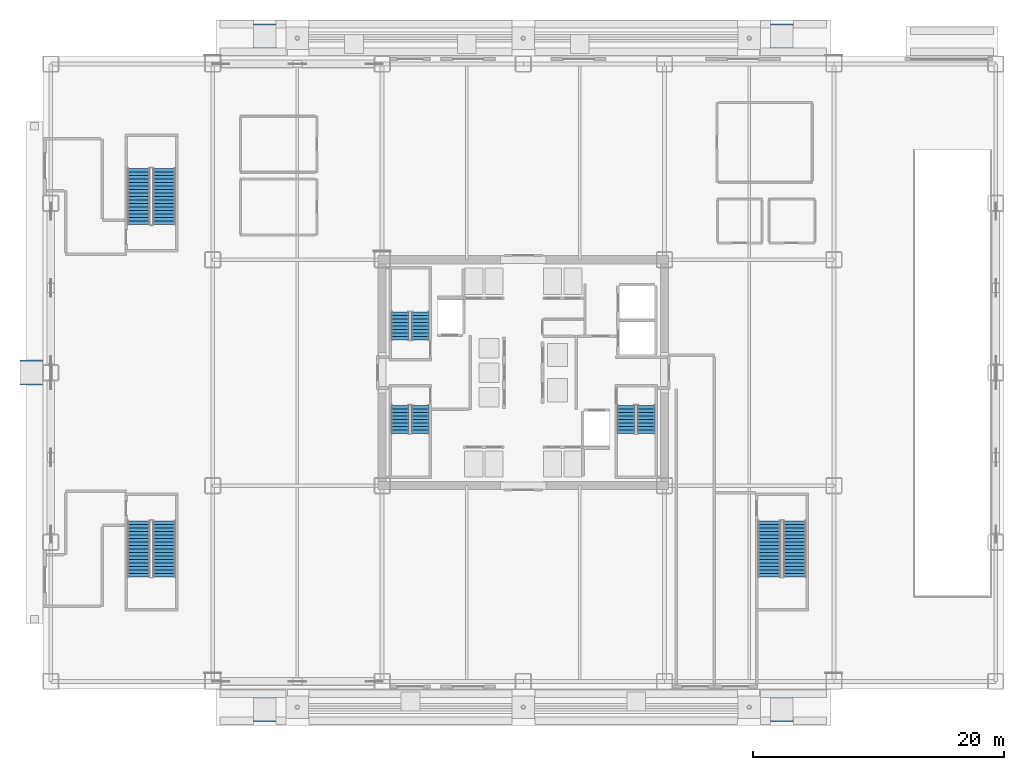
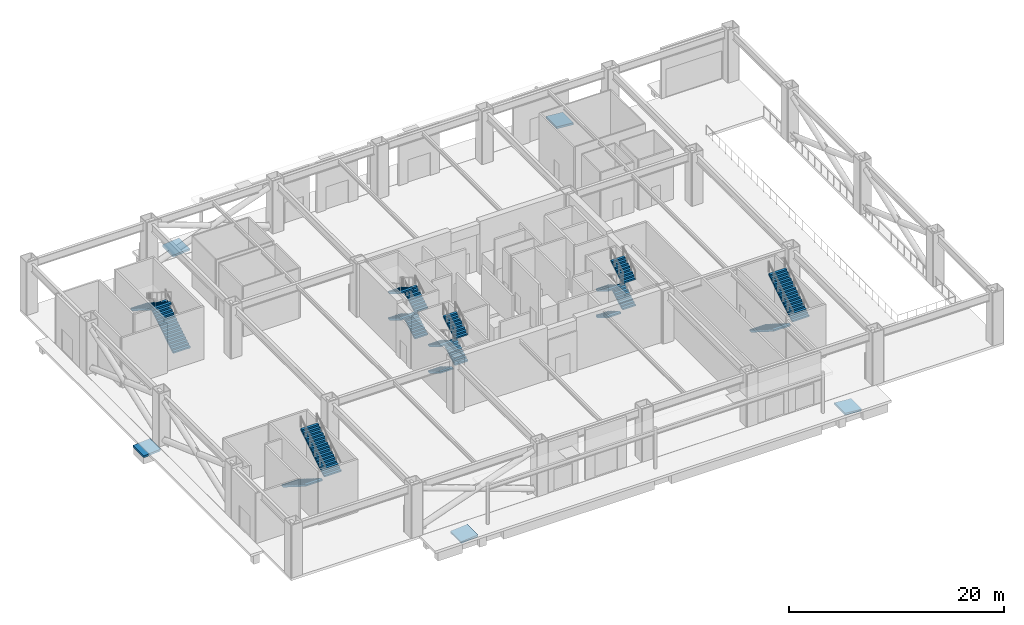
# One storey, part 12 of 17: 18 stair flights, 5 ramp flights, 11 elements without a shape of their own.
"""IFC4 building model written with IfcOpenShell, lengths in metres."""

from ifc_helpers import new_model, si_unit, direction, frame, origin, place, context, subcontext, project, spatial, polyline, outline, extrude, source, transform, mapped, material, layer, layer_set, type_object, element, aggregate, save


model = new_model("IFC4")

# Units and contexts
model_context = context("Model", 3, precision=1e-05, world=origin(), true_north=direction((0.0, 1.0)))
body_context = subcontext(model_context, "Body", "Model", "MODEL_VIEW")
ifc_project = project(units=[si_unit("LENGTHUNIT", "METRE"), si_unit("AREAUNIT", "SQUARE_METRE"), si_unit("VOLUMEUNIT", "CUBIC_METRE"), si_unit("PLANEANGLEUNIT", "RADIAN"), si_unit("MASSUNIT", "GRAM", prefix="KILO")], contexts=[model_context])

# Site, building, storey
site_placement = place(None, origin())
site = spatial("IfcSite", under=ifc_project, at=site_placement, CompositionType="ELEMENT")
building_placement = place(site_placement, origin())
building = spatial("IfcBuilding", under=site, at=building_placement, Name="Nefas-Gora Pilgrimage Tower", CompositionType="ELEMENT")
storey_placement = place(building_placement, origin())
storey = spatial("IfcBuildingStorey", under=building, at=storey_placement, Name="L00", CompositionType="ELEMENT", Elevation=0.0)

# Stair, stair flights
ifc_material_1 = material(Name="Concrete C45/55", Category="concrete")
stair_type_1 = type_object("IfcStairType", Name="STR-1400-R1667", PredefinedType="HALF_TURN_STAIR", material=ifc_material_1)
stair_1_placement = place(storey_placement, origin())
stair_1 = element("IfcStair", 1, at=stair_1_placement, inside=storey, type_object=stair_type_1, Name="L00 Pressurised Tower Exit Stair ST-01", PredefinedType="HALF_TURN_STAIR")
stair_flight_type_1 = type_object("IfcStairFlightType", Name="STF-1400-R1667", PredefinedType="STRAIGHT", material=ifc_material_1)
shared_shape_1 = source(origin(), body_context, "Body", "SweptSolid", [
    extrude(outline(polyline([(0.0, 0.0), (0.0, 0.166748046875), (0.280029296875, 0.166748046875), (0.280029296875, 0.333251953125), (0.56005859375, 0.333251953125), (0.56005859375, 0.5), (0.840087890625, 0.5), (0.840087890625, 0.666748046875), (1.1201171875, 0.666748046875), (1.1201171875, 0.833251953125), (1.39990234375, 0.833251953125), (1.39990234375, 1.0), (1.679931640625, 1.0), (1.679931640625, 1.166748046875), (1.9599609375, 1.166748046875), (1.9599609375, 1.333251953125), (2.239990234375, 1.333251953125), (2.239990234375, 1.5), (2.239990234375, 1.158935546875), (0.29296875, 0.0), (0.0, 0.0)])), frame((0.0, 0.699951171875, 0.0), z_axis=(0.0, -1.0, 0.0), x_axis=(1.0, 0.0, 0.0)), (0.0, 0.0, 1.0), 1.39990234375),
])
stair_flight_1_placement = place(storey_placement, frame((-8.199951171875, 2.60009765625, 0.0), z_axis=(0.0, 0.0, 1.0), x_axis=(0.0, 1.0, 0.0)))
stair_flight_1 = element("IfcStairFlight", 2, at=stair_flight_1_placement, type_object=stair_flight_type_1, Name="ST-01 flight 1", NumberOfRisers=9, NumberOfTreads=8, PredefinedType="STRAIGHT", RiserHeight=0.166666667, TreadLength=0.28, context=body_context, shape_type="MappedRepresentation", body=[
    mapped(shared_shape_1, transform((0.0, 0.0, 0.0), x_axis=(1.0, 0.0, 0.0), y_axis=(0.0, 1.0, 0.0), z_axis=(0.0, 0.0, 1.0), scale=1.0)),
])
stair_flight_2_placement = place(storey_placement, frame((-9.800048828125, 4.840087890625, 1.5), z_axis=(0.0, 0.0, 1.0), x_axis=(0.0, -1.0, 0.0)))
stair_flight_2 = element("IfcStairFlight", 3, at=stair_flight_2_placement, type_object=stair_flight_type_1, Name="ST-01 flight 2", NumberOfRisers=9, NumberOfTreads=8, PredefinedType="STRAIGHT", RiserHeight=0.166666667, TreadLength=0.28, context=body_context, shape_type="MappedRepresentation", body=[
    mapped(shared_shape_1, transform((0.0, 0.0, 0.0), x_axis=(1.0, 0.0, 0.0), y_axis=(0.0, 1.0, 0.0), z_axis=(0.0, 0.0, 1.0), scale=1.0)),
])
stair_flight_3_placement = place(storey_placement, frame((-8.199951171875, 2.60009765625, 3.0), z_axis=(0.0, 0.0, 1.0), x_axis=(0.0, 1.0, 0.0)))
stair_flight_3 = element("IfcStairFlight", 4, at=stair_flight_3_placement, type_object=stair_flight_type_1, Name="ST-01 flight 3", NumberOfRisers=9, NumberOfTreads=8, PredefinedType="STRAIGHT", RiserHeight=0.166666667, TreadLength=0.28, context=body_context, shape_type="MappedRepresentation", body=[
    mapped(shared_shape_1, transform((0.0, 0.0, 0.0), x_axis=(1.0, 0.0, 0.0), y_axis=(0.0, 1.0, 0.0), z_axis=(0.0, 0.0, 1.0), scale=1.0)),
])
stair_flight_4_placement = place(storey_placement, frame((-9.800048828125, 4.840087890625, 4.5), z_axis=(0.0, 0.0, 1.0), x_axis=(0.0, -1.0, 0.0)))
stair_flight_4 = element("IfcStairFlight", 5, at=stair_flight_4_placement, type_object=stair_flight_type_1, Name="ST-01 flight 4", NumberOfRisers=9, NumberOfTreads=8, PredefinedType="STRAIGHT", RiserHeight=0.166666667, TreadLength=0.28, context=body_context, shape_type="MappedRepresentation", body=[
    mapped(shared_shape_1, transform((0.0, 0.0, 0.0), x_axis=(1.0, 0.0, 0.0), y_axis=(0.0, 1.0, 0.0), z_axis=(0.0, 0.0, 1.0), scale=1.0)),
])
aggregate(stair_1, [stair_flight_1, stair_flight_2, stair_flight_3, stair_flight_4])

stair_2_placement = place(storey_placement, origin())
stair_2 = element("IfcStair", 6, at=stair_2_placement, inside=storey, type_object=stair_type_1, Name="L00 Pressurised Tower Exit Stair ST-02", PredefinedType="HALF_TURN_STAIR")
stair_flight_5_placement = place(storey_placement, frame((8.199951171875, -2.60009765625, 0.0), z_axis=(0.0, 0.0, 1.0), x_axis=(0.0, -1.0, 0.0)))
stair_flight_5 = element("IfcStairFlight", 7, at=stair_flight_5_placement, type_object=stair_flight_type_1, Name="ST-02 flight 1", NumberOfRisers=9, NumberOfTreads=8, PredefinedType="STRAIGHT", RiserHeight=0.166666667, TreadLength=0.28, context=body_context, shape_type="MappedRepresentation", body=[
    mapped(shared_shape_1, transform((0.0, 0.0, 0.0), x_axis=(1.0, 0.0, 0.0), y_axis=(0.0, 1.0, 0.0), z_axis=(0.0, 0.0, 1.0), scale=1.0)),
])
stair_flight_6_placement = place(storey_placement, frame((9.800048828125, -4.840087890625, 1.5), z_axis=(0.0, 0.0, 1.0), x_axis=(0.0, 1.0, 0.0)))
stair_flight_6 = element("IfcStairFlight", 8, at=stair_flight_6_placement, type_object=stair_flight_type_1, Name="ST-02 flight 2", NumberOfRisers=9, NumberOfTreads=8, PredefinedType="STRAIGHT", RiserHeight=0.166666667, TreadLength=0.28, context=body_context, shape_type="MappedRepresentation", body=[
    mapped(shared_shape_1, transform((0.0, 0.0, 0.0), x_axis=(1.0, 0.0, 0.0), y_axis=(0.0, 1.0, 0.0), z_axis=(0.0, 0.0, 1.0), scale=1.0)),
])
stair_flight_7_placement = place(storey_placement, frame((8.199951171875, -2.60009765625, 3.0), z_axis=(0.0, 0.0, 1.0), x_axis=(0.0, -1.0, 0.0)))
stair_flight_7 = element("IfcStairFlight", 9, at=stair_flight_7_placement, type_object=stair_flight_type_1, Name="ST-02 flight 3", NumberOfRisers=9, NumberOfTreads=8, PredefinedType="STRAIGHT", RiserHeight=0.166666667, TreadLength=0.28, context=body_context, shape_type="MappedRepresentation", body=[
    mapped(shared_shape_1, transform((0.0, 0.0, 0.0), x_axis=(1.0, 0.0, 0.0), y_axis=(0.0, 1.0, 0.0), z_axis=(0.0, 0.0, 1.0), scale=1.0)),
])
stair_flight_8_placement = place(storey_placement, frame((9.800048828125, -4.840087890625, 4.5), z_axis=(0.0, 0.0, 1.0), x_axis=(0.0, 1.0, 0.0)))
stair_flight_8 = element("IfcStairFlight", 10, at=stair_flight_8_placement, type_object=stair_flight_type_1, Name="ST-02 flight 4", NumberOfRisers=9, NumberOfTreads=8, PredefinedType="STRAIGHT", RiserHeight=0.166666667, TreadLength=0.28, context=body_context, shape_type="MappedRepresentation", body=[
    mapped(shared_shape_1, transform((0.0, 0.0, 0.0), x_axis=(1.0, 0.0, 0.0), y_axis=(0.0, 1.0, 0.0), z_axis=(0.0, 0.0, 1.0), scale=1.0)),
])
aggregate(stair_2, [stair_flight_5, stair_flight_6, stair_flight_7, stair_flight_8])

stair_3_placement = place(storey_placement, origin())
stair_3 = element("IfcStair", 11, at=stair_3_placement, inside=storey, type_object=stair_type_1, Name="L00 Pressurised Tower Exit Stair ST-03", PredefinedType="HALF_TURN_STAIR")
stair_flight_9_placement = place(storey_placement, frame((-9.800048828125, -2.60009765625, 0.0), z_axis=(0.0, 0.0, 1.0), x_axis=(0.0, -1.0, 0.0)))
stair_flight_9 = element("IfcStairFlight", 12, at=stair_flight_9_placement, type_object=stair_flight_type_1, Name="ST-03 flight 1", NumberOfRisers=9, NumberOfTreads=8, PredefinedType="STRAIGHT", RiserHeight=0.166666667, TreadLength=0.28, context=body_context, shape_type="MappedRepresentation", body=[
    mapped(shared_shape_1, transform((0.0, 0.0, 0.0), x_axis=(1.0, 0.0, 0.0), y_axis=(0.0, 1.0, 0.0), z_axis=(0.0, 0.0, 1.0), scale=1.0)),
])
stair_flight_10_placement = place(storey_placement, frame((-8.199951171875, -4.840087890625, 1.5), z_axis=(0.0, 0.0, 1.0), x_axis=(0.0, 1.0, 0.0)))
stair_flight_10 = element("IfcStairFlight", 13, at=stair_flight_10_placement, type_object=stair_flight_type_1, Name="ST-03 flight 2", NumberOfRisers=9, NumberOfTreads=8, PredefinedType="STRAIGHT", RiserHeight=0.166666667, TreadLength=0.28, context=body_context, shape_type="MappedRepresentation", body=[
    mapped(shared_shape_1, transform((0.0, 0.0, 0.0), x_axis=(1.0, 0.0, 0.0), y_axis=(0.0, 1.0, 0.0), z_axis=(0.0, 0.0, 1.0), scale=1.0)),
])
stair_flight_11_placement = place(storey_placement, frame((-9.800048828125, -2.60009765625, 3.0), z_axis=(0.0, 0.0, 1.0), x_axis=(0.0, -1.0, 0.0)))
stair_flight_11 = element("IfcStairFlight", 14, at=stair_flight_11_placement, type_object=stair_flight_type_1, Name="ST-03 flight 3", NumberOfRisers=9, NumberOfTreads=8, PredefinedType="STRAIGHT", RiserHeight=0.166666667, TreadLength=0.28, context=body_context, shape_type="MappedRepresentation", body=[
    mapped(shared_shape_1, transform((0.0, 0.0, 0.0), x_axis=(1.0, 0.0, 0.0), y_axis=(0.0, 1.0, 0.0), z_axis=(0.0, 0.0, 1.0), scale=1.0)),
])
stair_flight_12_placement = place(storey_placement, frame((-8.199951171875, -4.840087890625, 4.5), z_axis=(0.0, 0.0, 1.0), x_axis=(0.0, 1.0, 0.0)))
stair_flight_12 = element("IfcStairFlight", 15, at=stair_flight_12_placement, type_object=stair_flight_type_1, Name="ST-03 flight 4", NumberOfRisers=9, NumberOfTreads=8, PredefinedType="STRAIGHT", RiserHeight=0.166666667, TreadLength=0.28, context=body_context, shape_type="MappedRepresentation", body=[
    mapped(shared_shape_1, transform((0.0, 0.0, 0.0), x_axis=(1.0, 0.0, 0.0), y_axis=(0.0, 1.0, 0.0), z_axis=(0.0, 0.0, 1.0), scale=1.0)),
])
aggregate(stair_3, [stair_flight_9, stair_flight_10, stair_flight_11, stair_flight_12])

stair_type_2 = type_object("IfcStairType", Name="STR-1820-R1765", PredefinedType="HALF_TURN_STAIR", material=ifc_material_1)
stair_4_placement = place(storey_placement, origin())
stair_4 = element("IfcStair", 16, at=stair_4_placement, inside=storey, type_object=stair_type_2, Name="L00 Podium Exit Stair ST-04", PredefinedType="HALF_TURN_STAIR")
stair_flight_type_2 = type_object("IfcStairFlightType", Name="STF-1820-R1765", PredefinedType="STRAIGHT", material=ifc_material_1)
shared_shape_2 = source(origin(), body_context, "Body", "SweptSolid", [
    extrude(outline(polyline([(0.0, 0.0), (0.0, 0.176513671875), (0.280029296875, 0.176513671875), (0.280029296875, 0.35302734375), (0.56005859375, 0.35302734375), (0.56005859375, 0.529296875), (0.840087890625, 0.529296875), (0.840087890625, 0.705810546875), (1.1201171875, 0.705810546875), (1.1201171875, 0.88232421875), (1.39990234375, 0.88232421875), (1.39990234375, 1.058837890625), (1.679931640625, 1.058837890625), (1.679931640625, 1.2353515625), (1.9599609375, 1.2353515625), (1.9599609375, 1.411865234375), (2.239990234375, 1.411865234375), (2.239990234375, 1.588134765625), (2.52001953125, 1.588134765625), (2.52001953125, 1.7646484375), (2.800048828125, 1.7646484375), (2.800048828125, 1.941162109375), (3.080078125, 1.941162109375), (3.080078125, 2.11767578125), (3.360107421875, 2.11767578125), (3.360107421875, 2.294189453125), (3.639892578125, 2.294189453125), (3.639892578125, 2.470703125), (3.919921875, 2.470703125), (3.919921875, 2.64697265625), (4.199951171875, 2.64697265625), (4.199951171875, 2.823486328125), (4.47998046875, 2.823486328125), (4.47998046875, 3.0), (4.47998046875, 2.646240234375), (0.28125, 0.0), (0.0, 0.0)])), frame((0.0, 0.91015625, 0.0), z_axis=(0.0, -1.0, 0.0), x_axis=(1.0, 0.0, 0.0)), (0.0, 0.0, 1.0), 1.820068359375),
])
stair_flight_13_placement = place(storey_placement, frame((-28.610107421875, 11.800048828125, 0.0), z_axis=(0.0, 0.0, 1.0), x_axis=(0.0, 1.0, 0.0)))
stair_flight_13 = element("IfcStairFlight", 17, at=stair_flight_13_placement, type_object=stair_flight_type_2, Name="ST-04 flight 1", NumberOfRisers=17, NumberOfTreads=16, PredefinedType="STRAIGHT", RiserHeight=0.176470588, TreadLength=0.28, context=body_context, shape_type="MappedRepresentation", body=[
    mapped(shared_shape_2, transform((0.0, 0.0, 0.0), x_axis=(1.0, 0.0, 0.0), y_axis=(0.0, 1.0, 0.0), z_axis=(0.0, 0.0, 1.0), scale=1.0)),
])
stair_flight_14_placement = place(storey_placement, frame((-30.6298828125, 16.280029296875, 3.0), z_axis=(0.0, 0.0, 1.0), x_axis=(0.0, -1.0, 0.0)))
stair_flight_14 = element("IfcStairFlight", 18, at=stair_flight_14_placement, type_object=stair_flight_type_2, Name="ST-04 flight 2", NumberOfRisers=17, NumberOfTreads=16, PredefinedType="STRAIGHT", RiserHeight=0.176470588, TreadLength=0.28, context=body_context, shape_type="MappedRepresentation", body=[
    mapped(shared_shape_2, transform((0.0, 0.0, 0.0), x_axis=(1.0, 0.0, 0.0), y_axis=(0.0, 1.0, 0.0), z_axis=(0.0, 0.0, 1.0), scale=1.0)),
])
aggregate(stair_4, [stair_flight_13, stair_flight_14])

stair_5_placement = place(storey_placement, origin())
stair_5 = element("IfcStair", 19, at=stair_5_placement, inside=storey, type_object=stair_type_2, Name="L00 Podium Exit Stair ST-05", PredefinedType="HALF_TURN_STAIR")
stair_flight_15_placement = place(storey_placement, frame((-30.6298828125, -11.800048828125, 0.0), z_axis=(0.0, 0.0, 1.0), x_axis=(0.0, -1.0, 0.0)))
stair_flight_15 = element("IfcStairFlight", 20, at=stair_flight_15_placement, type_object=stair_flight_type_2, Name="ST-05 flight 1", NumberOfRisers=17, NumberOfTreads=16, PredefinedType="STRAIGHT", RiserHeight=0.176470588, TreadLength=0.28, context=body_context, shape_type="MappedRepresentation", body=[
    mapped(shared_shape_2, transform((0.0, 0.0, 0.0), x_axis=(1.0, 0.0, 0.0), y_axis=(0.0, 1.0, 0.0), z_axis=(0.0, 0.0, 1.0), scale=1.0)),
])
stair_flight_16_placement = place(storey_placement, frame((-28.610107421875, -16.280029296875, 3.0), z_axis=(0.0, 0.0, 1.0), x_axis=(0.0, 1.0, 0.0)))
stair_flight_16 = element("IfcStairFlight", 21, at=stair_flight_16_placement, type_object=stair_flight_type_2, Name="ST-05 flight 2", NumberOfRisers=17, NumberOfTreads=16, PredefinedType="STRAIGHT", RiserHeight=0.176470588, TreadLength=0.28, context=body_context, shape_type="MappedRepresentation", body=[
    mapped(shared_shape_2, transform((0.0, 0.0, 0.0), x_axis=(1.0, 0.0, 0.0), y_axis=(0.0, 1.0, 0.0), z_axis=(0.0, 0.0, 1.0), scale=1.0)),
])
aggregate(stair_5, [stair_flight_15, stair_flight_16])

stair_6_placement = place(storey_placement, origin())
stair_6 = element("IfcStair", 22, at=stair_6_placement, inside=storey, type_object=stair_type_2, Name="L00 Podium Exit Stair ST-06", PredefinedType="HALF_TURN_STAIR")
stair_flight_17_placement = place(storey_placement, frame((19.610107421875, -11.800048828125, 0.0), z_axis=(0.0, 0.0, 1.0), x_axis=(0.0, -1.0, 0.0)))
stair_flight_17 = element("IfcStairFlight", 23, at=stair_flight_17_placement, type_object=stair_flight_type_2, Name="ST-06 flight 1", NumberOfRisers=17, NumberOfTreads=16, PredefinedType="STRAIGHT", RiserHeight=0.176470588, TreadLength=0.28, context=body_context, shape_type="MappedRepresentation", body=[
    mapped(shared_shape_2, transform((0.0, 0.0, 0.0), x_axis=(1.0, 0.0, 0.0), y_axis=(0.0, 1.0, 0.0), z_axis=(0.0, 0.0, 1.0), scale=1.0)),
])
stair_flight_18_placement = place(storey_placement, frame((21.6298828125, -16.280029296875, 3.0), z_axis=(0.0, 0.0, 1.0), x_axis=(0.0, 1.0, 0.0)))
stair_flight_18 = element("IfcStairFlight", 24, at=stair_flight_18_placement, type_object=stair_flight_type_2, Name="ST-06 flight 2", NumberOfRisers=17, NumberOfTreads=16, PredefinedType="STRAIGHT", RiserHeight=0.176470588, TreadLength=0.28, context=body_context, shape_type="MappedRepresentation", body=[
    mapped(shared_shape_2, transform((0.0, 0.0, 0.0), x_axis=(1.0, 0.0, 0.0), y_axis=(0.0, 1.0, 0.0), z_axis=(0.0, 0.0, 1.0), scale=1.0)),
])
aggregate(stair_6, [stair_flight_17, stair_flight_18])

# Ramp, ramp flight
ifc_material_2 = material(Name="Concrete C40/50", Category="concrete")
ramp_type = type_object("IfcRampType", Name="RMP-ACC-STR", PredefinedType="STRAIGHT_RUN_RAMP", material=ifc_material_2)
ramp_1_placement = place(storey_placement, origin())
ramp_1 = element("IfcRamp", 25, at=ramp_1_placement, inside=storey, type_object=ramp_type, material=ifc_material_2, Name="North-West Step-Free Plaza Ramp", PredefinedType="STRAIGHT_RUN_RAMP")
ifc_layer = layer(ifc_material_2, 0.219970703125)
ifc_layer_set = layer_set([ifc_layer], Name="Concrete C40/50")
ramp_flight_type = type_object("IfcRampFlightType", Name="RMPF-ACC-220", PredefinedType="STRAIGHT", material=ifc_layer_set)
ramp_flight_1_placement = place(storey_placement, frame((-21.5, 26.800048828125, -0.14990234375), z_axis=(0.0, 0.0, 1.0), x_axis=(1.0, 0.0, 0.0)))
ramp_flight_1 = element("IfcRampFlight", 26, at=ramp_flight_1_placement, type_object=ramp_flight_type, material=ifc_material_2, Name="North-West Step-Free Plaza Ramp Flight", PredefinedType="STRAIGHT", context=body_context, shape_type="SweptSolid", body=[
    extrude(outline(polyline([(0.0, 0.0), (1.800048828125, 0.14990234375), (1.800048828125, -0.070068359375), (0.0, -0.219970703125), (0.0, 0.0)])), frame((0.0, 1.0, 0.0), z_axis=(0.0, -1.0, 0.0), x_axis=(1.0, 0.0, 0.0)), (0.0, 0.0, 1.0), 2.0),
])
aggregate(ramp_1, [ramp_flight_1])

ramp_2_placement = place(storey_placement, origin())
ramp_2 = element("IfcRamp", 27, at=ramp_2_placement, inside=storey, type_object=ramp_type, material=ifc_material_2, Name="North-East Step-Free Plaza Ramp", PredefinedType="STRAIGHT_RUN_RAMP")
ramp_flight_2_placement = place(storey_placement, frame((21.5, 26.800048828125, -0.14990234375), z_axis=(0.0, 0.0, 1.0), x_axis=(-1.0, 0.0, 0.0)))
ramp_flight_2 = element("IfcRampFlight", 28, at=ramp_flight_2_placement, type_object=ramp_flight_type, material=ifc_material_2, Name="North-East Step-Free Plaza Ramp Flight", PredefinedType="STRAIGHT", context=body_context, shape_type="SweptSolid", body=[
    extrude(outline(polyline([(0.0, 0.0), (1.800048828125, 0.14990234375), (1.800048828125, -0.070068359375), (0.0, -0.219970703125), (0.0, 0.0)])), frame((0.0, 1.0, 0.0), z_axis=(0.0, -1.0, 0.0), x_axis=(1.0, 0.0, 0.0)), (0.0, 0.0, 1.0), 2.0),
])
aggregate(ramp_2, [ramp_flight_2])

ramp_3_placement = place(storey_placement, origin())
ramp_3 = element("IfcRamp", 29, at=ramp_3_placement, inside=storey, type_object=ramp_type, material=ifc_material_2, Name="South-West Step-Free Plaza Ramp", PredefinedType="STRAIGHT_RUN_RAMP")
ramp_flight_3_placement = place(storey_placement, frame((-21.5, -26.800048828125, -0.14990234375), z_axis=(0.0, 0.0, 1.0), x_axis=(1.0, 0.0, 0.0)))
ramp_flight_3 = element("IfcRampFlight", 30, at=ramp_flight_3_placement, type_object=ramp_flight_type, material=ifc_material_2, Name="South-West Step-Free Plaza Ramp Flight", PredefinedType="STRAIGHT", context=body_context, shape_type="SweptSolid", body=[
    extrude(outline(polyline([(0.0, 0.0), (1.800048828125, 0.14990234375), (1.800048828125, -0.070068359375), (0.0, -0.219970703125), (0.0, 0.0)])), frame((0.0, 1.0, 0.0), z_axis=(0.0, -1.0, 0.0), x_axis=(1.0, 0.0, 0.0)), (0.0, 0.0, 1.0), 2.0),
])
aggregate(ramp_3, [ramp_flight_3])

ramp_4_placement = place(storey_placement, origin())
ramp_4 = element("IfcRamp", 31, at=ramp_4_placement, inside=storey, type_object=ramp_type, material=ifc_material_2, Name="South-East Step-Free Plaza Ramp", PredefinedType="STRAIGHT_RUN_RAMP")
ramp_flight_4_placement = place(storey_placement, frame((21.5, -26.800048828125, -0.14990234375), z_axis=(0.0, 0.0, 1.0), x_axis=(-1.0, 0.0, 0.0)))
ramp_flight_4 = element("IfcRampFlight", 32, at=ramp_flight_4_placement, type_object=ramp_flight_type, material=ifc_material_2, Name="South-East Step-Free Plaza Ramp Flight", PredefinedType="STRAIGHT", context=body_context, shape_type="SweptSolid", body=[
    extrude(outline(polyline([(0.0, 0.0), (1.800048828125, 0.14990234375), (1.800048828125, -0.070068359375), (0.0, -0.219970703125), (0.0, 0.0)])), frame((0.0, 1.0, 0.0), z_axis=(0.0, -1.0, 0.0), x_axis=(1.0, 0.0, 0.0)), (0.0, 0.0, 1.0), 2.0),
])
aggregate(ramp_4, [ramp_flight_4])

ramp_5_placement = place(storey_placement, origin())
ramp_5 = element("IfcRamp", 33, at=ramp_5_placement, inside=storey, type_object=ramp_type, material=ifc_material_2, Name="West Exit Walkway Step-Free Grade Ramp", PredefinedType="STRAIGHT_RUN_RAMP")
ramp_flight_5_placement = place(storey_placement, frame((-40.10009765625, 0.0, -0.14990234375), z_axis=(0.0, 0.0, 1.0), x_axis=(1.0, 0.0, 0.0)))
ramp_flight_5 = element("IfcRampFlight", 34, at=ramp_flight_5_placement, type_object=ramp_flight_type, material=ifc_material_2, Name="West Exit Walkway Step-Free Grade Ramp Flight", PredefinedType="STRAIGHT", context=body_context, shape_type="SweptSolid", body=[
    extrude(outline(polyline([(0.0, 0.0), (1.800048828125, 0.14990234375), (1.800048828125, -0.070068359375), (0.0, -0.219970703125), (0.0, 0.0)])), frame((0.0, 1.0, 0.0), z_axis=(0.0, -1.0, 0.0), x_axis=(1.0, 0.0, 0.0)), (0.0, 0.0, 1.0), 2.0),
])
aggregate(ramp_5, [ramp_flight_5])

save(model, "model.ifc")
